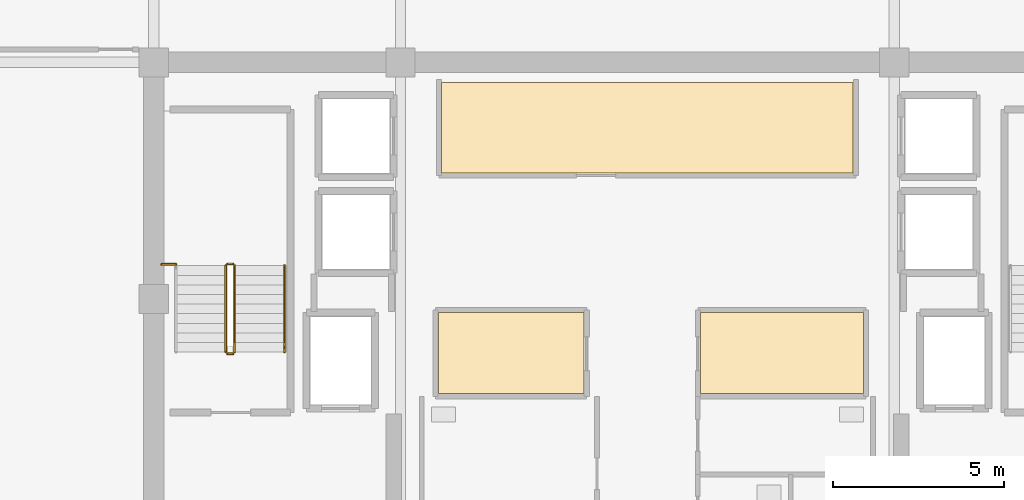
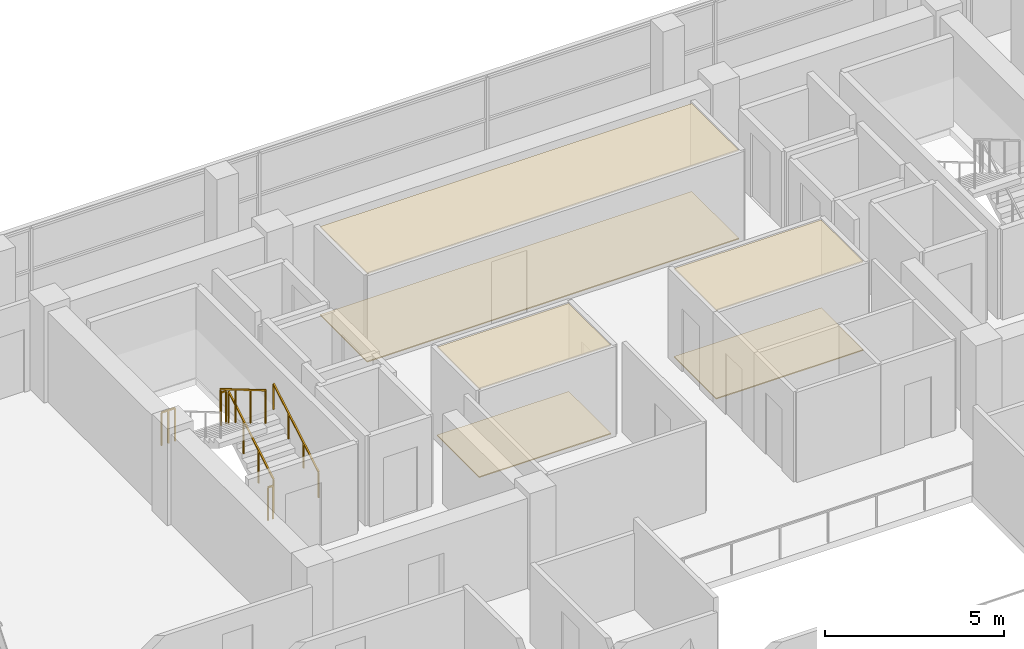
# One storey, part 21 of 23: 6 coverings, 6 railings.
"""IFC4 building model written with IfcOpenShell, lengths in metres."""

from ifc_helpers import new_model, si_unit, direction, frame, origin, origin_2d, place, context, subcontext, project, spatial, polyline, rectangle, outline, extrude, material, layer, layer_set, type_object, element, save


model = new_model("IFC4")

# Units and contexts
model_context = context("Model", 3, precision=1e-05, world=origin(), true_north=direction((0.0, 1.0)))
body_context = subcontext(model_context, "Body", "Model", "MODEL_VIEW")
ifc_project = project(units=[si_unit("LENGTHUNIT", "METRE"), si_unit("AREAUNIT", "SQUARE_METRE"), si_unit("VOLUMEUNIT", "CUBIC_METRE"), si_unit("PLANEANGLEUNIT", "RADIAN"), si_unit("MASSUNIT", "GRAM", prefix="KILO")], contexts=[model_context])

# Site, building, storey
site_placement = place(None, origin())
site = spatial("IfcSite", under=ifc_project, at=site_placement, CompositionType="ELEMENT")
building_placement = place(site_placement, origin())
building = spatial("IfcBuilding", under=site, at=building_placement, Name="Zarnakvel Exchange Tower", CompositionType="ELEMENT")
storey_placement = place(building_placement, frame((0.0, 0.0, 218.800048828125)))
storey = spatial("IfcBuildingStorey", under=building, at=storey_placement, Name="L61", CompositionType="ELEMENT", Elevation=218.800048828125)

# Coverings
ifc_material_1 = material(Name="Perforated Bronze Acoustic Metal Ceiling", Category="aluminium")
ifc_layer_1 = layer(ifc_material_1, 0.02001953125)
ifc_layer_set_1 = layer_set([ifc_layer_1], Name="Perforated Bronze Acoustic Metal Ceiling")
covering_type_1 = type_object("IfcCoveringType", Name="CLG-01", PredefinedType="CEILING", material=ifc_layer_set_1)
covering_1_placement = place(storey_placement, frame((0.0, 0.0, 3.014892578125)))
element("IfcCovering", 1, at=covering_1_placement, inside=storey, type_object=covering_type_1, Name="L61 Suspended Acoustic Ceiling (Market Data Archive Suite)", PredefinedType="CEILING", context=body_context, shape_type="SweptSolid", body=[
    extrude(outline(polyline([(-6.0, 12.919921875), (6.0, 12.919921875), (6.0, 10.280029296875), (-6.0, 10.280029296875), (-6.0, 12.919921875)])), origin(), (0.0, 0.0, 1.0), 0.02001953125),
])
covering_2_placement = place(storey_placement, frame((0.0, 0.0, 3.014892578125)))
element("IfcCovering", 2, at=covering_2_placement, inside=storey, type_object=covering_type_1, Name="L61 Suspended Acoustic Ceiling (Sovereign Compliance Office)", PredefinedType="CEILING", context=body_context, shape_type="SweptSolid", body=[
    extrude(outline(polyline([(-6.10009765625, 6.199951171875), (-1.85009765625, 6.199951171875), (-1.85009765625, 3.840087890625), (-6.10009765625, 3.840087890625), (-6.10009765625, 6.199951171875)])), origin(), (0.0, 0.0, 1.0), 0.02001953125),
])
covering_3_placement = place(storey_placement, frame((0.0, 0.0, 3.014892578125)))
element("IfcCovering", 3, at=covering_3_placement, inside=storey, type_object=covering_type_1, Name="L61 Suspended Acoustic Ceiling (Depository Legal Office)", PredefinedType="CEILING", context=body_context, shape_type="SweptSolid", body=[
    extrude(outline(polyline([(1.550048828125, 6.199951171875), (6.300048828125, 6.199951171875), (6.300048828125, 3.840087890625), (1.550048828125, 3.840087890625), (1.550048828125, 6.199951171875)])), origin(), (0.0, 0.0, 1.0), 0.02001953125),
])
ifc_material_2 = material(Name="Heavy-Duty Raised Access Floor Panel", Category="steel")
ifc_layer_2 = layer(ifc_material_2, 0.034912109375)
ifc_layer_set_2 = layer_set([ifc_layer_2], Name="Heavy-Duty Raised Access Floor Panel")
covering_type_2 = type_object("IfcCoveringType", Name="FLR-02", PredefinedType="FLOORING", material=ifc_layer_set_2)
covering_4_placement = place(storey_placement, origin())
element("IfcCovering", 4, at=covering_4_placement, inside=storey, type_object=covering_type_2, Name="L61 Floor Finish (Market Data Archive Suite)", PredefinedType="FLOORING", context=body_context, shape_type="SweptSolid", body=[
    extrude(outline(polyline([(-6.0, 12.919921875), (6.0, 12.919921875), (6.0, 10.280029296875), (-6.0, 10.280029296875), (-6.0, 12.919921875)])), origin(), (0.0, 0.0, 1.0), 0.034912109375),
])
covering_5_placement = place(storey_placement, origin())
element("IfcCovering", 5, at=covering_5_placement, inside=storey, type_object=covering_type_2, Name="L61 Floor Finish (Sovereign Compliance Office)", PredefinedType="FLOORING", context=body_context, shape_type="SweptSolid", body=[
    extrude(outline(polyline([(-6.10009765625, 6.199951171875), (-1.85009765625, 6.199951171875), (-1.85009765625, 3.840087890625), (-6.10009765625, 3.840087890625), (-6.10009765625, 6.199951171875)])), origin(), (0.0, 0.0, 1.0), 0.034912109375),
])
covering_6_placement = place(storey_placement, origin())
element("IfcCovering", 6, at=covering_6_placement, inside=storey, type_object=covering_type_2, Name="L61 Floor Finish (Depository Legal Office)", PredefinedType="FLOORING", context=body_context, shape_type="SweptSolid", body=[
    extrude(outline(polyline([(1.550048828125, 6.199951171875), (6.300048828125, 6.199951171875), (6.300048828125, 3.840087890625), (1.550048828125, 3.840087890625), (1.550048828125, 6.199951171875)])), origin(), (0.0, 0.0, 1.0), 0.034912109375),
])

# Railings
ifc_material_3 = material(Name="Brushed Stainless Steel", Category="steel")
railing_type_1 = type_object("IfcRailingType", Name="HR-01", PredefinedType="HANDRAIL", material=ifc_material_3)
railing_1_placement = place(storey_placement, frame((-10.590087890625, 5.050048828125, 0.1650390625)))
element("IfcRailing", 7, at=railing_1_placement, inside=storey, type_object=railing_type_1, Name="L61 ST-01 stair handrail 1", PredefinedType="HANDRAIL", context=body_context, shape_type="SweptSolid", body=[
    extrude(rectangle(XDim=0.048095703125, YDim=0.048095703125, at=origin_2d()), frame((0.0, 0.0, 0.8759765625), z_axis=(0.0, 0.861560626758, 0.507654692109), x_axis=(-1.0, 0.0, 0.0)), (0.0, 0.0, 1.0), 2.925048828125),
    extrude(rectangle(XDim=0.0419921875, YDim=0.0419921875, at=origin_2d()), origin(), (0.0, 0.0, 1.0), 0.851806640625),
    extrude(rectangle(XDim=0.0419921875, YDim=0.0419921875, at=origin_2d()), frame((0.0, 0.840087890625, 0.494873046875)), (0.0, 0.0, 1.0), 0.851806640625),
    extrude(rectangle(XDim=0.0419921875, YDim=0.0419921875, at=origin_2d()), frame((0.0, 1.679931640625, 0.989990234375)), (0.0, 0.0, 1.0), 0.851806640625),
    extrude(rectangle(XDim=0.0419921875, YDim=0.0419921875, at=origin_2d()), frame((0.0, 2.52001953125, 1.48486328125)), (0.0, 0.0, 1.0), 0.851806640625),
])
ifc_material_4 = material(Name="Architectural Bronze Anodised Aluminium", Category="aluminium")
railing_type_2 = type_object("IfcRailingType", Name="SG-01", PredefinedType="GUARDRAIL", material=ifc_material_4)
railing_2_placement = place(storey_placement, frame((-12.0400390625, 5.050048828125, 0.1650390625)))
element("IfcRailing", 8, at=railing_2_placement, inside=storey, type_object=railing_type_2, Name="L61 ST-01 stair guard 1", PredefinedType="GUARDRAIL", context=body_context, shape_type="SweptSolid", body=[
    extrude(rectangle(XDim=0.048095703125, YDim=0.048095703125, at=origin_2d()), frame((0.0, 0.0, 1.1259765625), z_axis=(0.0, 0.861560626758, 0.507654692109), x_axis=(-1.0, 0.0, 0.0)), (0.0, 0.0, 1.0), 2.925048828125),
    extrude(rectangle(XDim=0.0419921875, YDim=0.0419921875, at=origin_2d()), origin(), (0.0, 0.0, 1.0), 1.101806640625),
    extrude(rectangle(XDim=0.0419921875, YDim=0.0419921875, at=origin_2d()), frame((0.0, 0.840087890625, 0.494873046875)), (0.0, 0.0, 1.0), 1.101806640625),
    extrude(rectangle(XDim=0.0419921875, YDim=0.0419921875, at=origin_2d()), frame((0.0, 1.679931640625, 0.989990234375)), (0.0, 0.0, 1.0), 1.101806640625),
    extrude(rectangle(XDim=0.0419921875, YDim=0.0419921875, at=origin_2d()), frame((0.0, 2.52001953125, 1.48486328125)), (0.0, 0.0, 1.0), 1.101806640625),
])
railing_3_placement = place(storey_placement, frame((-12.090087890625, 7.6201171875, 1.64990234375)))
element("IfcRailing", 9, at=railing_3_placement, inside=storey, type_object=railing_type_2, Name="L61 ST-01 stair guard 2", PredefinedType="GUARDRAIL", context=body_context, shape_type="SweptSolid", body=[
    extrude(rectangle(XDim=0.048095703125, YDim=0.048095703125, at=origin_2d()), frame((0.0, 0.0, 1.1259765625), z_axis=(-1.0, 0.0, 0.0), x_axis=(0.0, -1.0, 0.0)), (0.0, 0.0, 1.0), 0.159912109375),
    extrude(rectangle(XDim=0.0419921875, YDim=0.0419921875, at=origin_2d()), origin(), (0.0, 0.0, 1.0), 1.101806640625),
    extrude(rectangle(XDim=0.0419921875, YDim=0.0419921875, at=origin_2d()), frame((-0.159912109375, 0.0, 0.0)), (0.0, 0.0, 1.0), 1.101806640625),
])
railing_4_placement = place(storey_placement, frame((-12.300048828125, 7.570068359375, 1.81494140625)))
element("IfcRailing", 10, at=railing_4_placement, inside=storey, type_object=railing_type_2, Name="L61 ST-01 stair guard 3", PredefinedType="GUARDRAIL", context=body_context, shape_type="SweptSolid", body=[
    extrude(rectangle(XDim=0.048095703125, YDim=0.048095703125, at=origin_2d()), frame((0.0, 0.0, 1.1259765625), z_axis=(0.0, -0.86152411907, 0.507716645641), x_axis=(1.0, 0.0, 0.0)), (0.0, 0.0, 1.0), 2.925048828125),
    extrude(rectangle(XDim=0.0419921875, YDim=0.0419921875, at=origin_2d()), origin(), (0.0, 0.0, 1.0), 1.101806640625),
    extrude(rectangle(XDim=0.0419921875, YDim=0.0419921875, at=origin_2d()), frame((0.0, -0.840087890625, 0.4951171875)), (0.0, 0.0, 1.0), 1.101806640625),
    extrude(rectangle(XDim=0.0419921875, YDim=0.0419921875, at=origin_2d()), frame((0.0, -1.679931640625, 0.989990234375)), (0.0, 0.0, 1.0), 1.101806640625),
    extrude(rectangle(XDim=0.0419921875, YDim=0.0419921875, at=origin_2d()), frame((0.0, -2.52001953125, 1.485107421875)), (0.0, 0.0, 1.0), 1.101806640625),
])
railing_5_placement = place(storey_placement, frame((-12.090087890625, 5.0, 0.0)))
element("IfcRailing", 11, at=railing_5_placement, inside=storey, type_object=railing_type_2, Name="L61 ST-01 stair guard 4", PredefinedType="GUARDRAIL", context=body_context, shape_type="SweptSolid", body=[
    extrude(rectangle(XDim=0.048095703125, YDim=0.048095703125, at=origin_2d()), frame((0.0, 0.0, 1.1259765625), z_axis=(-1.0, 0.0, 0.0), x_axis=(0.0, -1.0, 0.0)), (0.0, 0.0, 1.0), 0.159912109375),
    extrude(rectangle(XDim=0.0419921875, YDim=0.0419921875, at=origin_2d()), origin(), (0.0, 0.0, 1.0), 1.101806640625),
    extrude(rectangle(XDim=0.0419921875, YDim=0.0419921875, at=origin_2d()), frame((-0.159912109375, 0.0, 0.0)), (0.0, 0.0, 1.0), 1.101806640625),
])
railing_6_placement = place(storey_placement, frame((-14.179931640625, 7.610107421875, 1.64990234375)))
element("IfcRailing", 12, at=railing_6_placement, inside=storey, type_object=railing_type_2, Name="L61 ST-01 Landing Slot Guardrail", PredefinedType="GUARDRAIL", context=body_context, shape_type="SweptSolid", body=[
    extrude(rectangle(XDim=0.048095703125, YDim=0.048095703125, at=origin_2d()), frame((0.0, 0.0, 1.1259765625), z_axis=(1.0, 0.0, 0.0), x_axis=(0.0, 1.0, 0.0)), (0.0, 0.0, 1.0), 0.429931640625),
    extrude(rectangle(XDim=0.0419921875, YDim=0.0419921875, at=origin_2d()), origin(), (0.0, 0.0, 1.0), 1.101806640625),
    extrude(rectangle(XDim=0.0419921875, YDim=0.0419921875, at=origin_2d()), frame((0.21484375, 0.0, 0.0)), (0.0, 0.0, 1.0), 1.101806640625),
    extrude(rectangle(XDim=0.0419921875, YDim=0.0419921875, at=origin_2d()), frame((0.429931640625, 0.0, 0.0)), (0.0, 0.0, 1.0), 1.101806640625),
])

save(model, "model.ifc")
